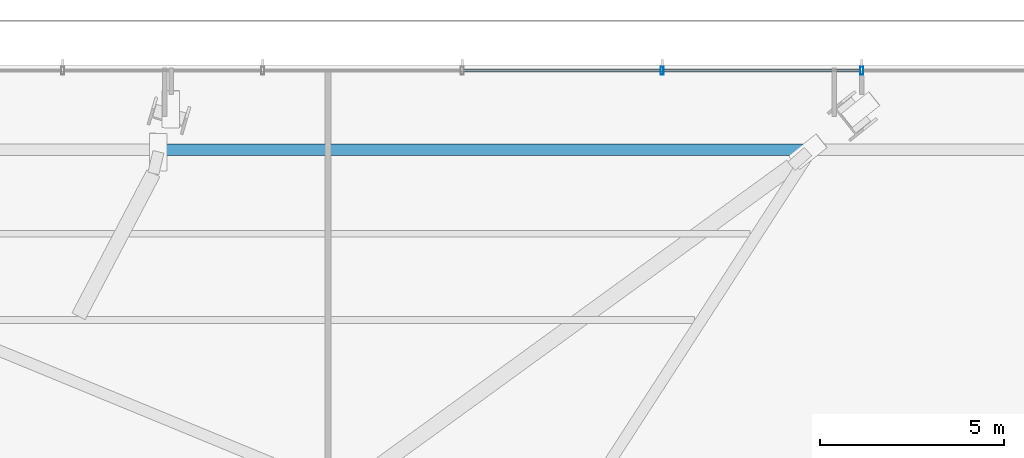
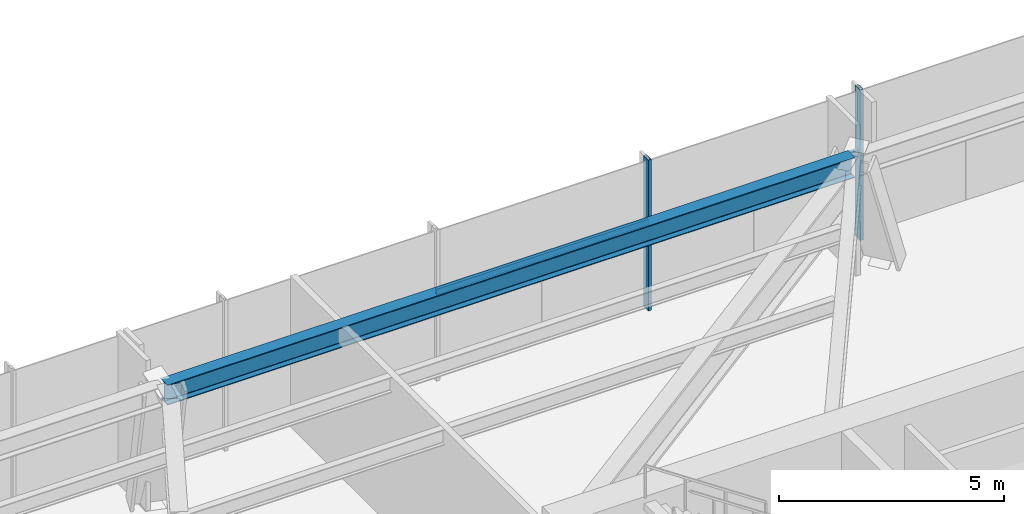
# One storey, part 18 of 36: 4 members, 1 beam, 1 element without a shape of its own.
"""IFC4 building model written with IfcOpenShell, lengths in metres."""

from ifc_helpers import new_model, si_unit, direction, frame, origin, origin_2d, place, context, subcontext, project, spatial, hollow_rectangle, i_section, extrude, source, transform, mapped, material, material_profile, profile_set, type_object, type_shapes, element, aggregate, save


model = new_model("IFC4")

# Units and contexts
model_context = context("Model", 3, precision=1e-05, world=origin(), true_north=direction((0.0, 1.0)))
body_context = subcontext(model_context, "Body", "Model", "MODEL_VIEW")
ifc_project = project(units=[si_unit("LENGTHUNIT", "METRE"), si_unit("AREAUNIT", "SQUARE_METRE"), si_unit("VOLUMEUNIT", "CUBIC_METRE"), si_unit("PLANEANGLEUNIT", "RADIAN"), si_unit("MASSUNIT", "GRAM", prefix="KILO")], contexts=[model_context])

# Site, building, storey
site_placement = place(None, origin())
site = spatial("IfcSite", under=ifc_project, at=site_placement, CompositionType="ELEMENT")
building_placement = place(site_placement, origin())
building = spatial("IfcBuilding", under=site, at=building_placement, Name="Astriad Promenade Condominiums", CompositionType="ELEMENT")
storey_placement = place(building_placement, frame((0.0, 0.0, 5.0)))
storey = spatial("IfcBuildingStorey", under=building, at=storey_placement, Name="L01", CompositionType="ELEMENT", Elevation=5.0)

# Beam
ifc_material_1 = material(Name="Steel ASTM A992 Grade 50", Category="steel")
ifc_material_profile_1 = material_profile(ifc_material_1, i_section(OverallWidth=0.3134765625, OverallDepth=0.54638671875, WebThickness=0.013916015625, FlangeThickness=0.022216796875, FilletRadius=0.0166015625, at=origin_2d()), Name="W21X111")
ifc_profile_set_1 = profile_set([ifc_material_profile_1], Name="Steel ASTM A992 Grade 50")
beam_type = type_object("IfcBeamType", Name="STEEL SPANDREL BEAM W21X111", PredefinedType="SPANDREL", material=ifc_profile_set_1)
shared_shape_1 = source(origin(), body_context, "Body", "SweptSolid", [
    extrude(i_section(OverallWidth=0.3134765625, OverallDepth=0.54638671875, WebThickness=0.013916015625, FlangeThickness=0.022216796875, FilletRadius=0.0166015625, at=origin_2d()), origin(), (0.0, 0.0, 1.0), 17.607177734375),
])
type_shapes(beam_type, [shared_shape_1])
beam_placement = place(storey_placement, frame((39.060546875, 33.30029296875, 3.806884765625), z_axis=(-1.0, 0.0, 0.0), x_axis=(0.0, -1.0, 0.0)))
element("IfcBeam", 1, at=beam_placement, inside=storey, type_object=beam_type, Name="Perimeter Spandrel Beam SP-N2-L01", PredefinedType="SPANDREL", context=body_context, shape_type="MappedRepresentation", body=[
    mapped(shared_shape_1, transform((0.0, 0.0, 0.0), scale=1.0)),
])

# Curtain wall, members
ifc_material_2 = material(Name="Anodised aluminium Black Dark Glass Unitised", Category="aluminium")
curtain_wall_type = type_object("IfcCurtainWallType", Name="CW-POD-DARK", PredefinedType="USERDEFINED", material=ifc_material_2)
curtain_wall_placement = place(storey_placement, origin())
curtain_wall = element("IfcCurtainWall", 2, at=curtain_wall_placement, inside=storey, type_object=curtain_wall_type, Name="CW-L01-N", ObjectType="UNITISED_CURTAIN_WALL", PredefinedType="USERDEFINED")
ifc_material_3 = material(Name="Anodised aluminium 6063-T6 Black", Category="aluminium")
ifc_material_profile_2 = material_profile(ifc_material_3, hollow_rectangle(XDim=0.0849609375, YDim=0.219970703125, WallThickness=0.0048828125, at=origin_2d()), Name="ALU-MUL-85X220")
ifc_profile_set_2 = profile_set([ifc_material_profile_2], Name="Anodised aluminium 6063-T6 Black")
member_type_1 = type_object("IfcMemberType", Name="MUL-ALU-MUL-85X220", PredefinedType="MULLION", material=ifc_profile_set_2)
shared_shape_2 = source(origin(), body_context, "Body", "SweptSolid", [
    extrude(hollow_rectangle(XDim=0.0849609375, YDim=0.219970703125, WallThickness=0.0048828125, at=origin_2d()), origin(), (0.0, 0.0, 1.0), 4.080078125),
])
type_shapes(member_type_1, [shared_shape_2])
member_1_placement = place(storey_placement, frame((35.074951171875, 35.449951171875, 0.0), z_axis=(0.0, 0.0, 1.0), x_axis=(1.0, 0.0, 0.0)))
member_1 = element("IfcMember", 3, at=member_1_placement, type_object=member_type_1, Name="CW-L01-N-MUL-05", PredefinedType="MULLION", context=body_context, shape_type="MappedRepresentation", body=[
    mapped(shared_shape_2, transform((0.0, 0.0, 0.0), scale=1.0)),
])
member_2_placement = place(storey_placement, frame((40.5, 35.449951171875, 0.0), z_axis=(0.0, 0.0, 1.0), x_axis=(1.0, 0.0, 0.0)))
member_2 = element("IfcMember", 4, at=member_2_placement, type_object=member_type_1, Name="CW-L01-N-MUL-06", PredefinedType="MULLION", context=body_context, shape_type="MappedRepresentation", body=[
    mapped(shared_shape_2, transform((0.0, 0.0, 0.0), scale=1.0)),
])
ifc_material_profile_3 = material_profile(ifc_material_3, hollow_rectangle(XDim=0.074951171875, YDim=0.14990234375, WallThickness=0.004150390625, at=origin_2d()), Name="ALU-TRN-75X150")
ifc_profile_set_3 = profile_set([ifc_material_profile_3], Name="Anodised aluminium 6063-T6 Black")
member_type_2 = type_object("IfcMemberType", Name="TRN-ALU-TRN-75X150", PredefinedType="USERDEFINED", material=ifc_profile_set_3)
shared_shape_3 = source(origin(), body_context, "Body", "SweptSolid", [
    extrude(hollow_rectangle(XDim=0.074951171875, YDim=0.14990234375, WallThickness=0.004150390625, at=origin_2d()), origin(), (0.0, 0.0, 1.0), 5.425048828125),
])
type_shapes(member_type_2, [shared_shape_3])
member_3_placement = place(storey_placement, frame((29.64990234375, 35.449951171875, 2.35009765625), z_axis=(1.0, 0.0, 0.0), x_axis=(0.0, 1.0, 0.0)))
member_3 = element("IfcMember", 5, at=member_3_placement, type_object=member_type_2, Name="CW-L01-N-TRN-04-0", ObjectType="TRANSOM", PredefinedType="USERDEFINED", context=body_context, shape_type="MappedRepresentation", body=[
    mapped(shared_shape_3, transform((0.0, 0.0, 0.0), scale=1.0)),
])
member_4_placement = place(storey_placement, frame((35.074951171875, 35.449951171875, 2.35009765625), z_axis=(1.0, 0.0, 0.0), x_axis=(0.0, 1.0, 0.0)))
member_4 = element("IfcMember", 6, at=member_4_placement, type_object=member_type_2, Name="CW-L01-N-TRN-05-0", ObjectType="TRANSOM", PredefinedType="USERDEFINED", context=body_context, shape_type="MappedRepresentation", body=[
    mapped(shared_shape_3, transform((0.0, 0.0, 0.0), scale=1.0)),
])
aggregate(curtain_wall, [member_1, member_2, member_3, member_4])

save(model, "model.ifc")
